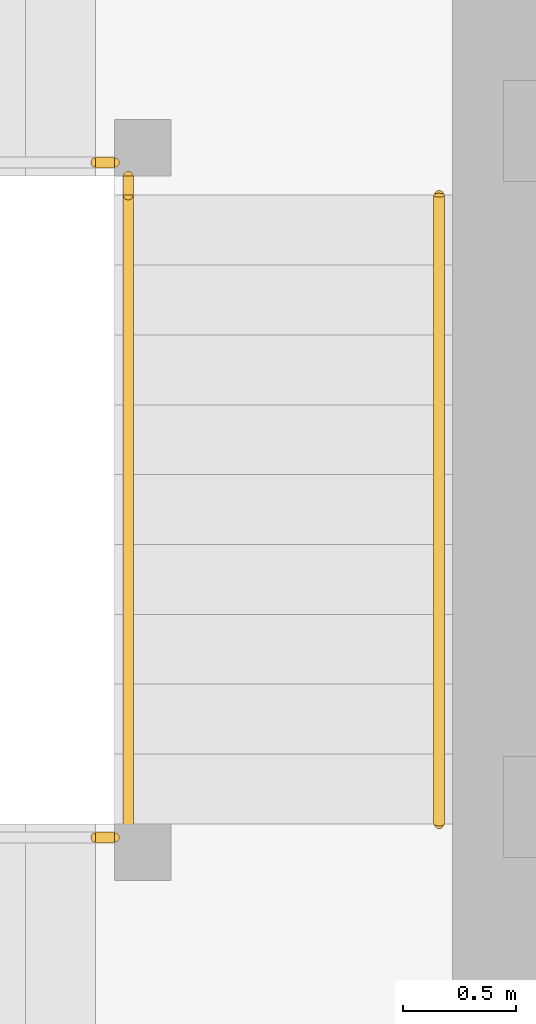
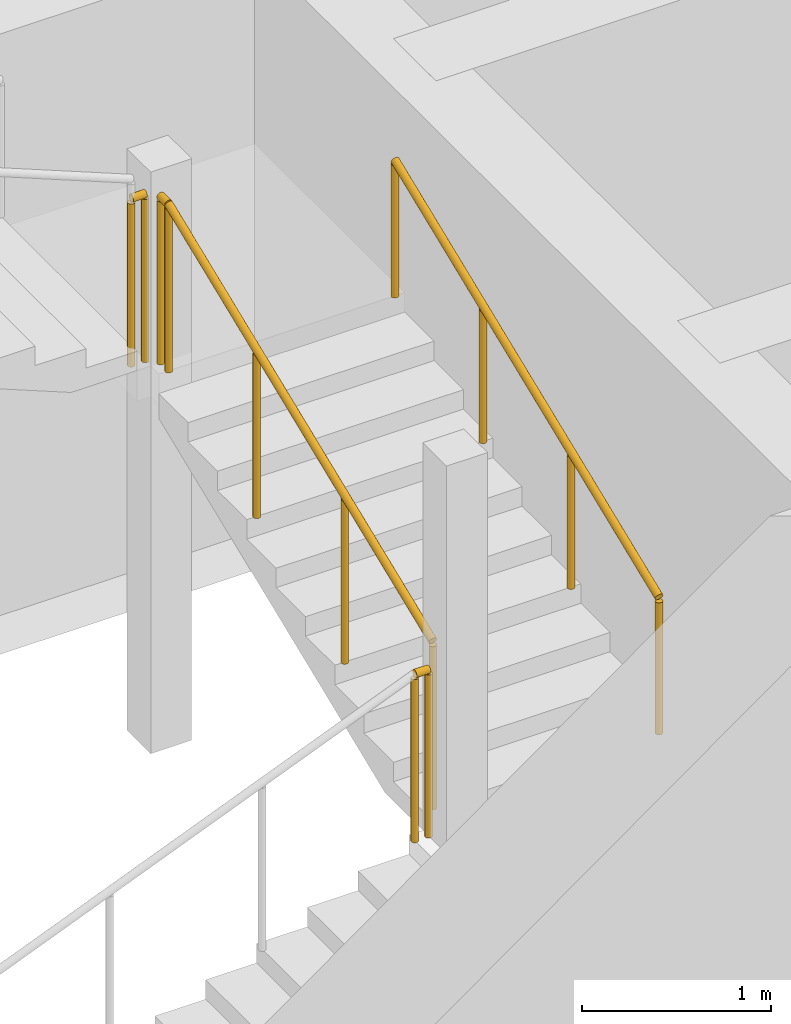
# One storey, part 35 of 39: 5 railings.
"""IFC4 building model written with IfcOpenShell, lengths in metres."""

from ifc_helpers import new_model, si_unit, direction, frame, origin, origin_2d, place, context, subcontext, project, spatial, circle, extrude, material, type_object, element, save


model = new_model("IFC4")

# Units and contexts
model_context = context("Model", 3, precision=1e-05, world=origin(), true_north=direction((0.0, 1.0)))
body_context = subcontext(model_context, "Body", "Model", "MODEL_VIEW")
ifc_project = project(units=[si_unit("LENGTHUNIT", "METRE"), si_unit("AREAUNIT", "SQUARE_METRE"), si_unit("VOLUMEUNIT", "CUBIC_METRE"), si_unit("PLANEANGLEUNIT", "RADIAN"), si_unit("MASSUNIT", "GRAM", prefix="KILO")], contexts=[model_context])

# Site, building, storey
site_placement = place(None, origin())
site = spatial("IfcSite", under=ifc_project, at=site_placement, CompositionType="ELEMENT")
building_placement = place(site_placement, origin())
building = spatial("IfcBuilding", under=site, at=building_placement, Name="Rekha Terrace Tower", CompositionType="ELEMENT")
storey_placement = place(building_placement, frame((0.0, 0.0, 147.800048828125)))
storey = spatial("IfcBuildingStorey", under=building, at=storey_placement, Name="L37", CompositionType="ELEMENT", Elevation=147.800048828125)

# Railings
ifc_material_1 = material(Name="Stainless steel balustrade", Category="steel")
railing_type_1 = type_object("IfcRailingType", Name="GR1 1100 stair guard", PredefinedType="GUARDRAIL", material=ifc_material_1)
railing_1_placement = place(storey_placement, frame((30.135009765625, 41.324951171875, 1.375)))
element("IfcRailing", 1, at=railing_1_placement, inside=storey, type_object=railing_type_1, Name="Guard ST4 L37 flight 2", PredefinedType="GUARDRAIL", context=body_context, shape_type="SweptSolid", body=[
    extrude(circle(Radius=0.02392578125, at=origin_2d()), frame((0.0, 0.0, 1.076171875), z_axis=(0.0, 0.927443287984, 0.373963831907), x_axis=(-1.0, 0.0, 0.0)), (0.0, 0.0, 1.0), 3.00830078125),
    extrude(circle(Radius=0.02099609375, at=origin_2d()), origin(), (0.0, 0.0, 1.0), 1.052001953125),
    extrude(circle(Radius=0.02099609375, at=origin_2d()), frame((0.0, 0.929931640625, 0.375)), (0.0, 0.0, 1.0), 1.052001953125),
    extrude(circle(Radius=0.02099609375, at=origin_2d()), frame((0.0, 1.860107421875, 0.75)), (0.0, 0.0, 1.0), 1.052001953125),
    extrude(circle(Radius=0.02099609375, at=origin_2d()), frame((0.0, 2.7900390625, 1.125)), (0.0, 0.0, 1.0), 1.052001953125),
])
railing_2_placement = place(storey_placement, frame((29.989990234375, 41.264892578125, 1.25)))
element("IfcRailing", 2, at=railing_2_placement, inside=storey, type_object=railing_type_1, Name="Guard ST4 L37 landing 1", PredefinedType="GUARDRAIL", context=body_context, shape_type="SweptSolid", body=[
    extrude(circle(Radius=0.02392578125, at=origin_2d()), frame((0.0, 0.0, 1.076171875), z_axis=(1.0, 0.0, 0.0), x_axis=(0.0, 1.0, 0.0)), (0.0, 0.0, 1.0), 0.0849609375),
    extrude(circle(Radius=0.02099609375, at=origin_2d()), origin(), (0.0, 0.0, 1.0), 1.052001953125),
    extrude(circle(Radius=0.02099609375, at=origin_2d()), frame((0.0849609375, 0.0, 0.0)), (0.0, 0.0, 1.0), 1.052001953125),
])
railing_3_placement = place(storey_placement, frame((30.135009765625, 44.114990234375, 2.5)))
element("IfcRailing", 3, at=railing_3_placement, inside=storey, type_object=railing_type_1, Name="Guard ST4 L37 landing 2", PredefinedType="GUARDRAIL", context=body_context, shape_type="SweptSolid", body=[
    extrude(circle(Radius=0.02392578125, at=origin_2d()), frame((0.0, 0.0, 1.076171875), z_axis=(0.0, 1.0, 0.0), x_axis=(-1.0, 0.0, 0.0)), (0.0, 0.0, 1.0), 0.0849609375),
    extrude(circle(Radius=0.02099609375, at=origin_2d()), origin(), (0.0, 0.0, 1.0), 1.052001953125),
    extrude(circle(Radius=0.02099609375, at=origin_2d()), frame((0.0, 0.0849609375, 0.0)), (0.0, 0.0, 1.0), 1.052001953125),
])
railing_4_placement = place(storey_placement, frame((29.989990234375, 44.260009765625, 2.5)))
element("IfcRailing", 4, at=railing_4_placement, inside=storey, type_object=railing_type_1, Name="Guard ST4 L37 landing 3", PredefinedType="GUARDRAIL", context=body_context, shape_type="SweptSolid", body=[
    extrude(circle(Radius=0.02392578125, at=origin_2d()), frame((0.0, 0.0, 1.076171875), z_axis=(1.0, 0.0, 0.0), x_axis=(0.0, 1.0, 0.0)), (0.0, 0.0, 1.0), 0.0849609375),
    extrude(circle(Radius=0.02099609375, at=origin_2d()), origin(), (0.0, 0.0, 1.0), 1.052001953125),
    extrude(circle(Radius=0.02099609375, at=origin_2d()), frame((0.0849609375, 0.0, 0.0)), (0.0, 0.0, 1.0), 1.052001953125),
])
ifc_material_2 = material(Name="Stainless steel tube", Category="steel")
railing_type_2 = type_object("IfcRailingType", Name="HR1 900 stair handrail", PredefinedType="HANDRAIL", material=ifc_material_2)
railing_5_placement = place(storey_placement, frame((31.514892578125, 41.324951171875, 1.375)))
element("IfcRailing", 5, at=railing_5_placement, inside=storey, type_object=railing_type_2, Name="Handrail ST4 L37 flight 2", PredefinedType="HANDRAIL", context=body_context, shape_type="SweptSolid", body=[
    extrude(circle(Radius=0.02392578125, at=origin_2d()), frame((0.0, 0.0, 0.8759765625), z_axis=(0.0, 0.927443287984, 0.373963831907), x_axis=(-1.0, 0.0, 0.0)), (0.0, 0.0, 1.0), 3.00830078125),
    extrude(circle(Radius=0.02099609375, at=origin_2d()), origin(), (0.0, 0.0, 1.0), 0.851806640625),
    extrude(circle(Radius=0.02099609375, at=origin_2d()), frame((0.0, 0.929931640625, 0.375)), (0.0, 0.0, 1.0), 0.851806640625),
    extrude(circle(Radius=0.02099609375, at=origin_2d()), frame((0.0, 1.860107421875, 0.75)), (0.0, 0.0, 1.0), 0.851806640625),
    extrude(circle(Radius=0.02099609375, at=origin_2d()), frame((0.0, 2.7900390625, 1.125)), (0.0, 0.0, 1.0), 0.851806640625),
])

save(model, "model.ifc")
